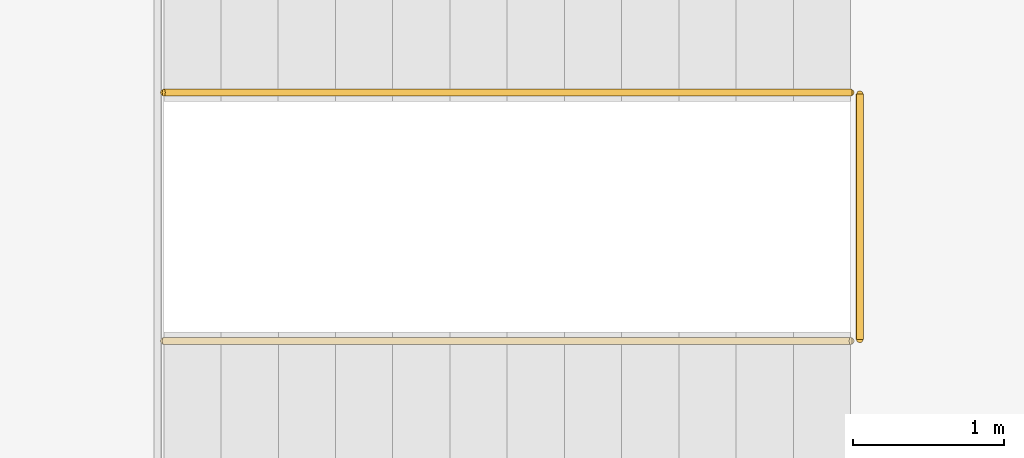
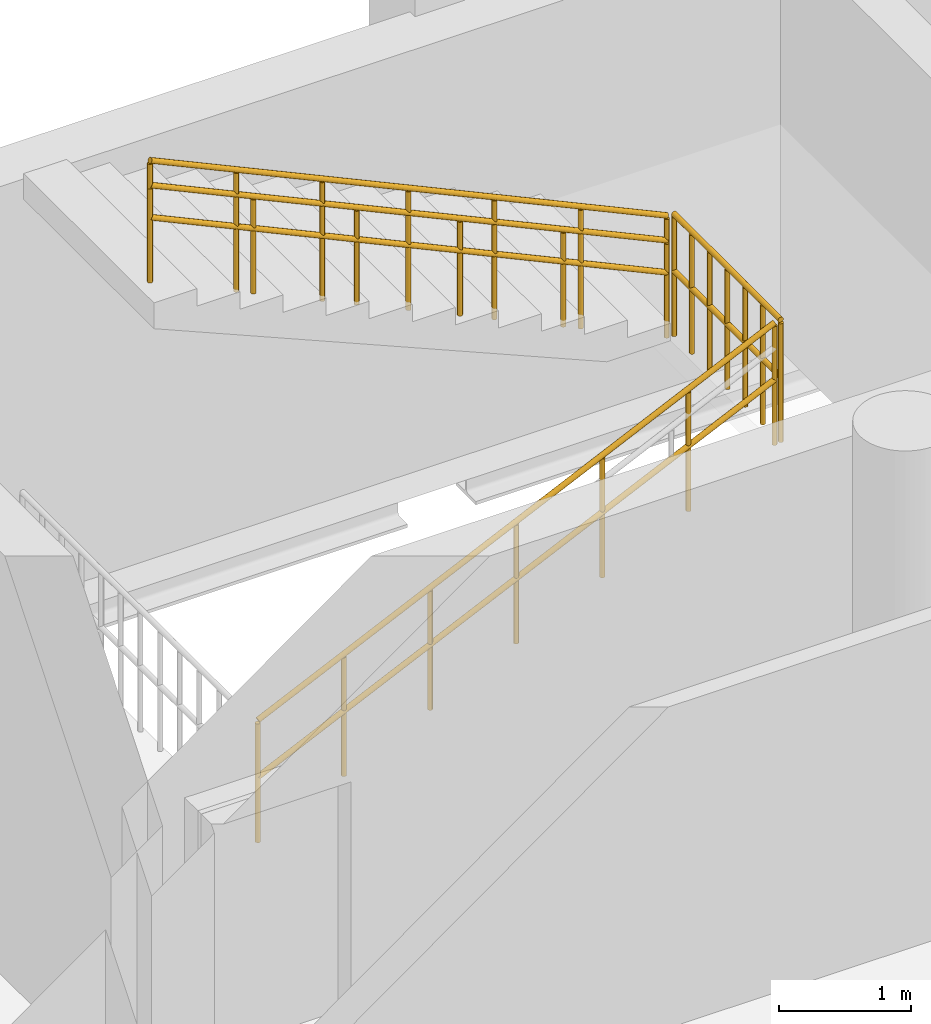
# One storey, part 148 of 153: 4 railings.
"""IFC4 building model written with IfcOpenShell, lengths in metres."""

import ifcopenshell
import ifcopenshell.guid

model = None  # the IFC model being written
_history = None  # IfcOwnerHistory: only IFC2X3 demands one
_inside = {}  # id of a spatial element -> (the spatial element, [elements in it])
_under = {}  # id of a project, library or spatial element -> (it, [spatial elements below it])
_declared = {}  # id of a project -> (the project, [libraries it declares])
_typed = {}  # id of a type object -> (the type object, [elements of that type])
_made_of = {}  # id of a material, layer set ... -> (it, [elements and type objects made of it])


def new_model(schema):
    """Start an empty IFC model of exactly this schema.

    Asked for "IFC4X3", IfcOpenShell would pick the latest addendum, in which some entities
    have other attributes; the version numbers below select the first issue.
    IFC2X3 requires an IfcOwnerHistory on every rooted entity: one is made here for all.
    """
    global model, _history
    if schema == "IFC4X3":
        model = ifcopenshell.file(schema_version=(4, 3, 0, 0))
    else:
        model = ifcopenshell.file(schema=schema)
    _inside.clear()
    _under.clear()
    _declared.clear()
    _typed.clear()
    _made_of.clear()
    _history = None
    if model.schema == "IFC2X3":
        org = make("IfcOrganization", Name="unknown")
        user = make(
            "IfcPersonAndOrganization",
            ThePerson=make("IfcPerson", FamilyName="unknown"),
            TheOrganization=org,
        )
        app = make(
            "IfcApplication",
            ApplicationDeveloper=org,
            Version="unknown",
            ApplicationFullName="unknown",
            ApplicationIdentifier="unknown",
        )
        _history = make(
            "IfcOwnerHistory",
            OwningUser=user,
            OwningApplication=app,
            ChangeAction="ADDED",
            CreationDate=0,
        )
    return model


def make(cls, **values):
    """One entity of the class cls with the attributes given. An attribute that is None is left unset."""
    return model.create_entity(
        cls, **{name: value for name, value in values.items() if value is not None}
    )


def rooted(cls, **values):
    """An entity with a GlobalId (a new one), such as an element, a storey or a relation."""
    return make(cls, GlobalId=ifcopenshell.guid.new(), OwnerHistory=_history, **values)


def si_unit(unit_type, name, prefix=None):
    """IfcSIUnit, for example si_unit("LENGTHUNIT", "METRE", prefix="MILLI")."""
    return make("IfcSIUnit", UnitType=unit_type, Prefix=prefix, Name=name)


def assignment(units):
    """IfcUnitAssignment: the units of a project."""
    return None if units is None else make("IfcUnitAssignment", Units=units)


def point(xyz):
    """IfcCartesianPoint."""
    return None if xyz is None else make("IfcCartesianPoint", Coordinates=xyz)


def direction(xyz):
    """IfcDirection."""
    return None if xyz is None else make("IfcDirection", DirectionRatios=xyz)


def frame(location, z_axis=None, x_axis=None):
    """IfcAxis2Placement3D, a coordinate frame: its origin and axes. An axis left out is left unset."""
    return make(
        "IfcAxis2Placement3D",
        Location=point(location),
        Axis=direction(z_axis),
        RefDirection=direction(x_axis),
    )


def frame_2d(location, x_axis=None):
    """IfcAxis2Placement2D, a coordinate frame in the plane: its origin and x axis."""
    return make(
        "IfcAxis2Placement2D", Location=point(location), RefDirection=direction(x_axis)
    )


def origin():
    """The frame at (0, 0, 0) with its axes left unset."""
    return frame((0.0, 0.0, 0.0))


def origin_2d():
    """The frame at (0, 0) in the plane with its x axis left unset."""
    return frame_2d((0.0, 0.0))


def place(relative_to, where):
    """IfcLocalPlacement: puts the frame where relative to a parent placement (None: the world)."""
    return make(
        "IfcLocalPlacement", PlacementRelTo=relative_to, RelativePlacement=where
    )


def context(
    kind, dimensions, precision=None, world=None, true_north=None, identifier=None
):
    """IfcGeometricRepresentationContext, for example the 3D "Model" context."""
    return make(
        "IfcGeometricRepresentationContext",
        ContextIdentifier=identifier,
        ContextType=kind,
        CoordinateSpaceDimension=dimensions,
        Precision=precision,
        WorldCoordinateSystem=world,
        TrueNorth=true_north,
    )


def subcontext(parent, identifier, kind, view, scale=None):
    """IfcGeometricRepresentationSubContext, for example "Body" below "Model"."""
    return make(
        "IfcGeometricRepresentationSubContext",
        ContextIdentifier=identifier,
        ContextType=kind,
        ParentContext=parent,
        TargetScale=scale,
        TargetView=view,
    )


def project(units=None, contexts=None):
    """IfcProject with its units and contexts."""
    return rooted(
        "IfcProject",
        Name="project",
        RepresentationContexts=contexts,
        UnitsInContext=assignment(units),
    )


def spatial(cls, under=None, at=None, **own):
    """A site, building, storey or space (cls), placed at a placement, below another one or the project."""
    s = rooted(cls, ObjectPlacement=at, **own)
    if under is not None:
        _under.setdefault(under.id(), (under, []))[1].append(s)
    return s


def profile(cls, at=None, kind="AREA", **sizes):
    """A parametric profile (cls). Its sizes go by their IFC names, for example OverallWidth=200.0."""
    return make(cls, ProfileType=kind, Position=at, **sizes)


def circle(**sizes):
    """IfcCircleProfileDef."""
    return profile("IfcCircleProfileDef", **sizes)


def extrude(swept, where, along, depth):
    """IfcExtrudedAreaSolid: the profile swept, set in the frame where, extruded along a direction by depth."""
    return make(
        "IfcExtrudedAreaSolid",
        SweptArea=swept,
        Position=where,
        ExtrudedDirection=direction(along),
        Depth=depth,
    )


def shape(context_of_items, identifier, shape_type, items):
    """IfcShapeRepresentation: the items that make up one representation, for example the "Body"."""
    return make(
        "IfcShapeRepresentation",
        ContextOfItems=context_of_items,
        RepresentationIdentifier=identifier,
        RepresentationType=shape_type,
        Items=items,
    )


def material(Name=None, Category=None):
    """IfcMaterial."""
    return make("IfcMaterial", Name=Name, Category=Category)


def made_of(thing, what):
    """Note that an element or type object is made of a material, layer set ...; save() writes the relation."""
    if what is not None:
        _made_of.setdefault(what.id(), (what, []))[1].append(thing)
    return thing


def type_object(cls, material=None, **own):
    """A type object (cls), such as IfcWallType, which elements share."""
    return made_of(rooted(cls, **own), material)


def element(
    cls,
    number,
    at=None,
    inside=None,
    cuts=None,
    type_object=None,
    material=None,
    context=None,
    identifier="Body",
    shape_type=None,
    held_by="IfcProductDefinitionShape",
    body=None,
    shapes=None,
    **own,
):
    """One element of the class cls, such as IfcWall. Its Tag is "e" and its number.

    at: its placement. inside: the storey or other place that contains it. cuts: it is an
    opening in that element (IfcRelVoidsElement). A single representation is given by context,
    identifier, shape_type and body (its items); several are given by shapes. held_by: the class
    of the entity that holds the representations. save() writes the other relations.
    """
    e = rooted(cls, Tag="e%d" % number, ObjectPlacement=at, **own)
    if body is not None:
        shapes = [shape(context, identifier, shape_type, body)]
    if shapes is not None:
        e.Representation = make(held_by, Representations=shapes)
    if inside is not None:
        _inside.setdefault(inside.id(), (inside, []))[1].append(e)
    if cuts is not None:
        rooted(
            "IfcRelVoidsElement", RelatingBuildingElement=cuts, RelatedOpeningElement=e
        )
    if type_object is not None:
        _typed.setdefault(type_object.id(), (type_object, []))[1].append(e)
    return made_of(e, material)


def aggregate(whole, parts):
    """IfcRelAggregates: a whole, such as a stair, and the parts it consists of."""
    return rooted("IfcRelAggregates", RelatingObject=whole, RelatedObjects=parts)


def save(model, path):
    """Write the relations noted so far, then the file.

    IfcRelAggregates (storeys below a building ...), IfcRelContainedInSpatialStructure (elements
    in a storey), IfcRelDefinesByType, IfcRelAssociatesMaterial and IfcRelDeclares: one each for
    every whole, place, type object, material and project.
    """
    for whole, parts in _under.values():
        aggregate(whole, parts)
    for where, things in _inside.values():
        rooted(
            "IfcRelContainedInSpatialStructure",
            RelatedElements=things,
            RelatingStructure=where,
        )
    for kind, things in _typed.values():
        rooted("IfcRelDefinesByType", RelatedObjects=things, RelatingType=kind)
    for what, things in _made_of.values():
        rooted("IfcRelAssociatesMaterial", RelatedObjects=things, RelatingMaterial=what)
    for by, libraries in _declared.values():
        rooted("IfcRelDeclares", RelatingContext=by, RelatedDefinitions=libraries)
    model.write(path)


model = new_model("IFC4")

# Units and contexts
model_context = context("Model", 3, precision=1e-05, world=origin(), true_north=direction((0.0, 1.0)))
body_context = subcontext(model_context, "Body", "Model", "MODEL_VIEW")
ifc_project = project(units=[si_unit("LENGTHUNIT", "METRE"), si_unit("AREAUNIT", "SQUARE_METRE"), si_unit("VOLUMEUNIT", "CUBIC_METRE"), si_unit("PLANEANGLEUNIT", "RADIAN"), si_unit("MASSUNIT", "GRAM", prefix="KILO")], contexts=[model_context])

# Site, building, storey
site_placement = place(None, origin())
site = spatial("IfcSite", under=ifc_project, at=site_placement, CompositionType="ELEMENT")
building_placement = place(site_placement, origin())
building = spatial("IfcBuilding", under=site, at=building_placement, Name="Qandorah Velis Arena", CompositionType="ELEMENT")
storey_placement = place(building_placement, frame((0.0, 0.0, 5.39990234375)))
storey = spatial("IfcBuildingStorey", under=building, at=storey_placement, Name="L01", CompositionType="ELEMENT", Elevation=5.39990234375)

# Railings
ifc_material = material(Name="Stainless steel 316", Category="steel")
railing_type_1 = type_object("IfcRailingType", Name="ARC-RL-GRD1150", PredefinedType="GUARDRAIL", material=ifc_material)
railing_1_placement = place(storey_placement, frame((58.14599609375, 125.239990234375, 2.10009765625)))
element("IfcRailing", 1, at=railing_1_placement, inside=storey, type_object=railing_type_1, Name="Stair ST10 well guardrail (L01)", PredefinedType="GUARDRAIL", context=body_context, shape_type="SweptSolid", body=[
    extrude(circle(Radius=0.02392578125, at=origin_2d()), frame((0.0, 0.0, 1.1259765625), z_axis=(0.0, 1.0, 0.0), x_axis=(-1.0, 0.0, 0.0)), (0.0, 0.0, 1.0), 1.6201171875),
    extrude(circle(Radius=0.02392578125, at=origin_2d()), frame((0.0, 0.0, 0.597900390625), z_axis=(0.0, 1.0, 0.0), x_axis=(-1.0, 0.0, 0.0)), (0.0, 0.0, 1.0), 1.6201171875),
    extrude(circle(Radius=0.02099609375, at=origin_2d()), origin(), (0.0, 0.0, 1.0), 1.101806640625),
    extrude(circle(Radius=0.02099609375, at=origin_2d()), frame((0.0, 0.27001953125, 0.0)), (0.0, 0.0, 1.0), 1.101806640625),
    extrude(circle(Radius=0.02099609375, at=origin_2d()), frame((0.0, 0.5400390625, 0.0)), (0.0, 0.0, 1.0), 1.101806640625),
    extrude(circle(Radius=0.02099609375, at=origin_2d()), frame((0.0, 0.81005859375, 0.0)), (0.0, 0.0, 1.0), 1.101806640625),
    extrude(circle(Radius=0.02099609375, at=origin_2d()), frame((0.0, 1.080078125, 0.0)), (0.0, 0.0, 1.0), 1.101806640625),
    extrude(circle(Radius=0.02099609375, at=origin_2d()), frame((0.0, 1.35009765625, 0.0)), (0.0, 0.0, 1.0), 1.101806640625),
    extrude(circle(Radius=0.02099609375, at=origin_2d()), frame((0.0, 1.6201171875, 0.0)), (0.0, 0.0, 1.0), 1.101806640625),
])
railing_2_placement = place(storey_placement, frame((53.550048828125, 125.22998046875, 0.0)))
element("IfcRailing", 2, at=railing_2_placement, inside=storey, type_object=railing_type_1, Name="Stair ST10 inner flight 1 guardrail (L01)", PredefinedType="GUARDRAIL", context=body_context, shape_type="SweptSolid", body=[
    extrude(circle(Radius=0.02392578125, at=origin_2d()), frame((0.0, 0.0, 1.1259765625), z_axis=(0.907455527081, 0.0, 0.420148148122), x_axis=(0.0, 1.0, 0.0)), (0.0, 0.0, 1.0), 4.99853515625),
    extrude(circle(Radius=0.02392578125, at=origin_2d()), frame((0.0, 0.0, 0.597900390625), z_axis=(0.907455527081, 0.0, 0.420148148122), x_axis=(0.0, 1.0, 0.0)), (0.0, 0.0, 1.0), 4.99853515625),
    extrude(circle(Radius=0.02099609375, at=origin_2d()), origin(), (0.0, 0.0, 1.0), 1.101806640625),
    extrude(circle(Radius=0.02099609375, at=origin_2d()), frame((0.755859375, 0.0, 0.35009765625)), (0.0, 0.0, 1.0), 1.101806640625),
    extrude(circle(Radius=0.02099609375, at=origin_2d()), frame((1.511962890625, 0.0, 0.699951171875)), (0.0, 0.0, 1.0), 1.101806640625),
    extrude(circle(Radius=0.02099609375, at=origin_2d()), frame((2.26806640625, 0.0, 1.050048828125)), (0.0, 0.0, 1.0), 1.101806640625),
    extrude(circle(Radius=0.02099609375, at=origin_2d()), frame((3.02392578125, 0.0, 1.400146484375)), (0.0, 0.0, 1.0), 1.101806640625),
    extrude(circle(Radius=0.02099609375, at=origin_2d()), frame((3.77978515625, 0.0, 1.75)), (0.0, 0.0, 1.0), 1.101806640625),
    extrude(circle(Radius=0.02099609375, at=origin_2d()), frame((4.535888671875, 0.0, 2.10009765625)), (0.0, 0.0, 1.0), 1.101806640625),
])
railing_3_placement = place(storey_placement, frame((58.0859375, 126.8701171875, 2.10009765625)))
element("IfcRailing", 3, at=railing_3_placement, inside=storey, type_object=railing_type_1, Name="Stair ST10 inner flight 2 guardrail (L01)", PredefinedType="GUARDRAIL", context=body_context, shape_type="SweptSolid", body=[
    extrude(circle(Radius=0.02392578125, at=origin_2d()), frame((0.0, 0.0, 1.1259765625), z_axis=(-0.907455527081, 0.0, 0.420148148122), x_axis=(0.0, -1.0, 0.0)), (0.0, 0.0, 1.0), 4.99853515625),
    extrude(circle(Radius=0.02392578125, at=origin_2d()), frame((0.0, 0.0, 0.597900390625), z_axis=(-0.907455527081, 0.0, 0.420148148122), x_axis=(0.0, -1.0, 0.0)), (0.0, 0.0, 1.0), 4.99853515625),
    extrude(circle(Radius=0.02099609375, at=origin_2d()), origin(), (0.0, 0.0, 1.0), 1.101806640625),
    extrude(circle(Radius=0.02099609375, at=origin_2d()), frame((-0.755859375, 0.0, 0.35009765625)), (0.0, 0.0, 1.0), 1.101806640625),
    extrude(circle(Radius=0.02099609375, at=origin_2d()), frame((-1.511962890625, 0.0, 0.699951171875)), (0.0, 0.0, 1.0), 1.101806640625),
    extrude(circle(Radius=0.02099609375, at=origin_2d()), frame((-2.26806640625, 0.0, 1.050048828125)), (0.0, 0.0, 1.0), 1.101806640625),
    extrude(circle(Radius=0.02099609375, at=origin_2d()), frame((-3.02392578125, 0.0, 1.400146484375)), (0.0, 0.0, 1.0), 1.101806640625),
    extrude(circle(Radius=0.02099609375, at=origin_2d()), frame((-3.77978515625, 0.0, 1.75)), (0.0, 0.0, 1.0), 1.101806640625),
    extrude(circle(Radius=0.02099609375, at=origin_2d()), frame((-4.535888671875, 0.0, 2.10009765625)), (0.0, 0.0, 1.0), 1.101806640625),
])
railing_type_2 = type_object("IfcRailingType", Name="ARC-RL-HND920", PredefinedType="HANDRAIL", material=ifc_material)
railing_4_placement = place(storey_placement, frame((58.0859375, 126.8701171875, 2.10009765625)))
element("IfcRailing", 4, at=railing_4_placement, inside=storey, type_object=railing_type_2, Name="Stair ST10 inner handrail 2 (L01)", PredefinedType="HANDRAIL", context=body_context, shape_type="SweptSolid", body=[
    extrude(circle(Radius=0.02392578125, at=origin_2d()), frame((0.0, 0.0, 0.89599609375), z_axis=(-0.907455527081, 0.0, 0.420148148122), x_axis=(0.0, -1.0, 0.0)), (0.0, 0.0, 1.0), 4.99853515625),
    extrude(circle(Radius=0.02099609375, at=origin_2d()), origin(), (0.0, 0.0, 1.0), 0.871826171875),
    extrude(circle(Radius=0.02099609375, at=origin_2d()), frame((-0.9072265625, 0.0, 0.419921875)), (0.0, 0.0, 1.0), 0.871826171875),
    extrude(circle(Radius=0.02099609375, at=origin_2d()), frame((-1.814453125, 0.0, 0.840087890625)), (0.0, 0.0, 1.0), 0.871826171875),
    extrude(circle(Radius=0.02099609375, at=origin_2d()), frame((-2.721435546875, 0.0, 1.260009765625)), (0.0, 0.0, 1.0), 0.871826171875),
    extrude(circle(Radius=0.02099609375, at=origin_2d()), frame((-3.628662109375, 0.0, 1.68017578125)), (0.0, 0.0, 1.0), 0.871826171875),
    extrude(circle(Radius=0.02099609375, at=origin_2d()), frame((-4.535888671875, 0.0, 2.10009765625)), (0.0, 0.0, 1.0), 0.871826171875),
])

save(model, "model.ifc")
